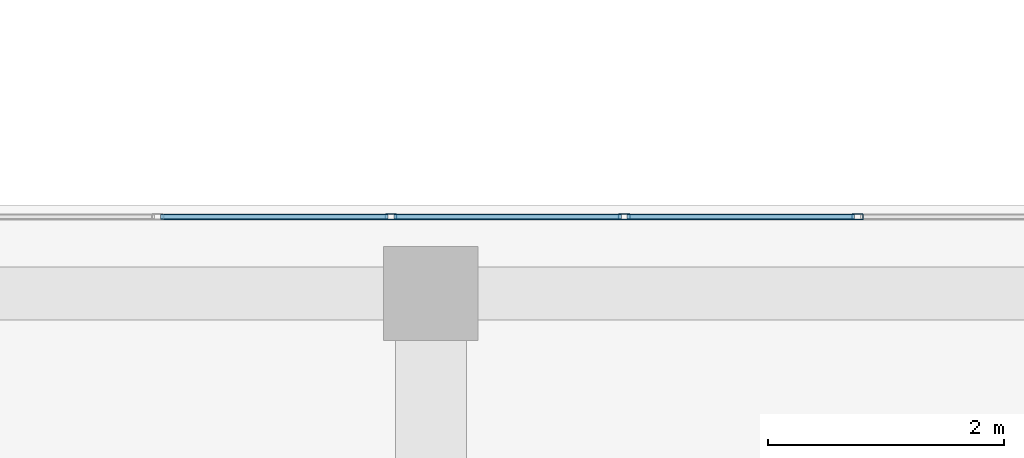
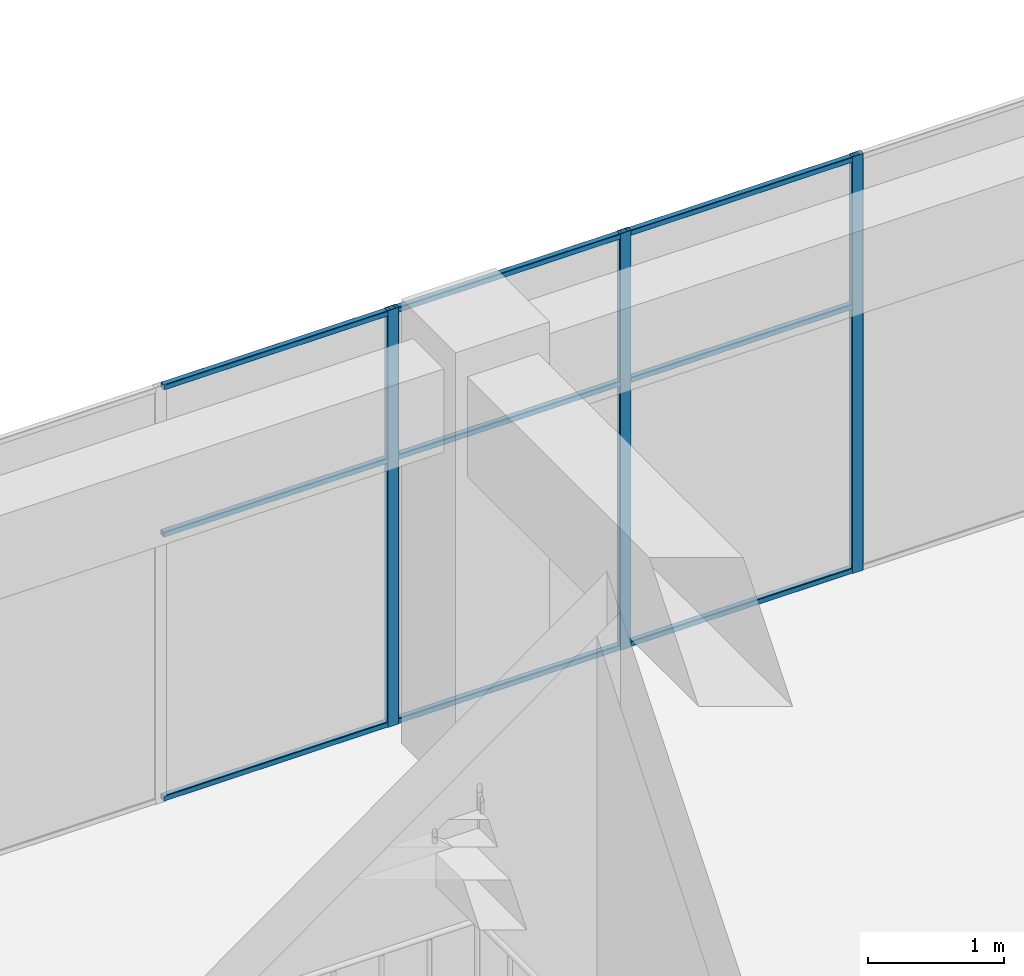
# One storey, part 37 of 65: 12 members, 1 element without a shape of its own.
"""IFC4 building model written with IfcOpenShell, lengths in metres."""

from ifc_helpers import new_model, si_unit, direction, frame, origin, origin_2d, place, context, subcontext, project, spatial, hollow_rectangle, extrude, material, layer, layer_set, material_profile, profile_set, type_object, element, aggregate, save


model = new_model("IFC4")

# Units and contexts
model_context = context("Model", 3, precision=1e-05, world=origin(), true_north=direction((0.0, 1.0)))
body_context = subcontext(model_context, "Body", "Model", "MODEL_VIEW")
ifc_project = project(units=[si_unit("LENGTHUNIT", "METRE"), si_unit("AREAUNIT", "SQUARE_METRE"), si_unit("VOLUMEUNIT", "CUBIC_METRE"), si_unit("PLANEANGLEUNIT", "RADIAN"), si_unit("MASSUNIT", "GRAM", prefix="KILO")], contexts=[model_context])

# Site, building, storey
site_placement = place(None, origin())
site = spatial("IfcSite", under=ifc_project, at=site_placement, CompositionType="ELEMENT")
building_placement = place(site_placement, origin())
building = spatial("IfcBuilding", under=site, at=building_placement, Name="Tuart Plaza Theatre", CompositionType="ELEMENT")
storey_placement = place(building_placement, frame((0.0, 0.0, 9.5)))
storey = spatial("IfcBuildingStorey", under=building, at=storey_placement, Name="L02", CompositionType="ELEMENT", Elevation=9.5)

# Curtain wall, members
ifc_material_1 = material(Name="Aluminium and glass", Category="aluminium")
ifc_layer = layer(ifc_material_1, 0.10009765625)
ifc_layer_set = layer_set([ifc_layer], Name="CURTAIN WALL 2000 module")
curtain_wall_type = type_object("IfcCurtainWallType", Name="CURTAIN WALL 2000 module", PredefinedType="NOTDEFINED", material=ifc_layer_set)
curtain_wall_placement = place(storey_placement, origin())
curtain_wall = element("IfcCurtainWall", 1, at=curtain_wall_placement, inside=storey, type_object=curtain_wall_type, Name="CW70", PredefinedType="NOTDEFINED")
ifc_material_2 = material(Name="Aluminium 6063-T5", Category="aluminium")
ifc_material_profile_1 = material_profile(ifc_material_2, hollow_rectangle(XDim=0.050048828125, YDim=0.10009765625, WallThickness=0.00390625, InnerFilletRadius=0.00390625, OuterFilletRadius=0.008056640625, at=origin_2d()), Name="RHS 100x50x4")
ifc_profile_set_1 = profile_set([ifc_material_profile_1], Name="Aluminium 6063-T5")
member_type_1 = type_object("IfcMemberType", Name="MULLION RHS 100x50x4", PredefinedType="MULLION", material=ifc_profile_set_1)
member_1_placement = place(storey_placement, frame((144.61669921875, 92.64990234375, 0.0), z_axis=(0.0, 0.0, 1.0), x_axis=(0.0, -1.0, 0.0)))
member_1 = element("IfcMember", 2, at=member_1_placement, type_object=member_type_1, Name="CW70 mullion 4", PredefinedType="MULLION", context=body_context, shape_type="SweptSolid", body=[
    extrude(hollow_rectangle(XDim=0.050048828125, YDim=0.10009765625, WallThickness=0.00390625, InnerFilletRadius=0.00390625, OuterFilletRadius=0.008056640625, at=origin_2d()), origin(), (0.0, 0.0, 1.0), 3.75),
])
member_2_placement = place(storey_placement, frame((142.638916015625, 92.64990234375, 0.0), z_axis=(0.0, 0.0, 1.0), x_axis=(0.0, -1.0, 0.0)))
member_2 = element("IfcMember", 3, at=member_2_placement, type_object=member_type_1, Name="CW70 mullion 5", PredefinedType="MULLION", context=body_context, shape_type="SweptSolid", body=[
    extrude(hollow_rectangle(XDim=0.050048828125, YDim=0.10009765625, WallThickness=0.00390625, InnerFilletRadius=0.00390625, OuterFilletRadius=0.008056640625, at=origin_2d()), origin(), (0.0, 0.0, 1.0), 3.75),
])
member_3_placement = place(storey_placement, frame((140.6611328125, 92.64990234375, 0.0), z_axis=(0.0, 0.0, 1.0), x_axis=(0.0, -1.0, 0.0)))
member_3 = element("IfcMember", 4, at=member_3_placement, type_object=member_type_1, Name="CW70 mullion 6", PredefinedType="MULLION", context=body_context, shape_type="SweptSolid", body=[
    extrude(hollow_rectangle(XDim=0.050048828125, YDim=0.10009765625, WallThickness=0.00390625, InnerFilletRadius=0.00390625, OuterFilletRadius=0.008056640625, at=origin_2d()), origin(), (0.0, 0.0, 1.0), 3.75),
])
ifc_material_3 = material(Name="Aluminium 6063-T5", Category="aluminium")
ifc_material_profile_2 = material_profile(ifc_material_3, hollow_rectangle(XDim=0.050048828125, YDim=0.050048828125, WallThickness=0.00390625, InnerFilletRadius=0.00390625, OuterFilletRadius=0.008056640625, at=origin_2d()), Name="RHS 50x50x4")
ifc_profile_set_2 = profile_set([ifc_material_profile_2], Name="Aluminium 6063-T5")
member_type_2 = type_object("IfcMemberType", Name="TRANSOM RHS 50x50x4", PredefinedType="USERDEFINED", material=ifc_profile_set_2)
member_4_placement = place(storey_placement, frame((144.591552734375, 92.64990234375, 0.02490234375), z_axis=(-1.0, 0.0, 0.0), x_axis=(0.0, -1.0, 0.0)))
member_4 = element("IfcMember", 5, at=member_4_placement, type_object=member_type_2, Name="CW70 transom 4.1", ObjectType="TRANSOM", PredefinedType="USERDEFINED", context=body_context, shape_type="SweptSolid", body=[
    extrude(hollow_rectangle(XDim=0.050048828125, YDim=0.050048828125, WallThickness=0.00390625, InnerFilletRadius=0.00390625, OuterFilletRadius=0.008056640625, at=origin_2d()), origin(), (0.0, 0.0, 1.0), 1.927734375),
])
member_5_placement = place(storey_placement, frame((144.591552734375, 92.64990234375, 2.39990234375), z_axis=(-1.0, 0.0, 0.0), x_axis=(0.0, -1.0, 0.0)))
member_5 = element("IfcMember", 6, at=member_5_placement, type_object=member_type_2, Name="CW70 transom 4.2", ObjectType="TRANSOM", PredefinedType="USERDEFINED", context=body_context, shape_type="SweptSolid", body=[
    extrude(hollow_rectangle(XDim=0.050048828125, YDim=0.050048828125, WallThickness=0.00390625, InnerFilletRadius=0.00390625, OuterFilletRadius=0.008056640625, at=origin_2d()), origin(), (0.0, 0.0, 1.0), 1.927734375),
])
member_6_placement = place(storey_placement, frame((144.591552734375, 92.64990234375, 3.72509765625), z_axis=(-1.0, 0.0, 0.0), x_axis=(0.0, -1.0, 0.0)))
member_6 = element("IfcMember", 7, at=member_6_placement, type_object=member_type_2, Name="CW70 transom 4.3", ObjectType="TRANSOM", PredefinedType="USERDEFINED", context=body_context, shape_type="SweptSolid", body=[
    extrude(hollow_rectangle(XDim=0.050048828125, YDim=0.050048828125, WallThickness=0.00390625, InnerFilletRadius=0.00390625, OuterFilletRadius=0.008056640625, at=origin_2d()), origin(), (0.0, 0.0, 1.0), 1.927734375),
])
member_7_placement = place(storey_placement, frame((142.61376953125, 92.64990234375, 0.02490234375), z_axis=(-1.0, 0.0, 0.0), x_axis=(0.0, -1.0, 0.0)))
member_7 = element("IfcMember", 8, at=member_7_placement, type_object=member_type_2, Name="CW70 transom 5.1", ObjectType="TRANSOM", PredefinedType="USERDEFINED", context=body_context, shape_type="SweptSolid", body=[
    extrude(hollow_rectangle(XDim=0.050048828125, YDim=0.050048828125, WallThickness=0.00390625, InnerFilletRadius=0.00390625, OuterFilletRadius=0.008056640625, at=origin_2d()), origin(), (0.0, 0.0, 1.0), 1.927734375),
])
member_8_placement = place(storey_placement, frame((142.61376953125, 92.64990234375, 2.39990234375), z_axis=(-1.0, 0.0, 0.0), x_axis=(0.0, -1.0, 0.0)))
member_8 = element("IfcMember", 9, at=member_8_placement, type_object=member_type_2, Name="CW70 transom 5.2", ObjectType="TRANSOM", PredefinedType="USERDEFINED", context=body_context, shape_type="SweptSolid", body=[
    extrude(hollow_rectangle(XDim=0.050048828125, YDim=0.050048828125, WallThickness=0.00390625, InnerFilletRadius=0.00390625, OuterFilletRadius=0.008056640625, at=origin_2d()), origin(), (0.0, 0.0, 1.0), 1.927734375),
])
member_9_placement = place(storey_placement, frame((142.61376953125, 92.64990234375, 3.72509765625), z_axis=(-1.0, 0.0, 0.0), x_axis=(0.0, -1.0, 0.0)))
member_9 = element("IfcMember", 10, at=member_9_placement, type_object=member_type_2, Name="CW70 transom 5.3", ObjectType="TRANSOM", PredefinedType="USERDEFINED", context=body_context, shape_type="SweptSolid", body=[
    extrude(hollow_rectangle(XDim=0.050048828125, YDim=0.050048828125, WallThickness=0.00390625, InnerFilletRadius=0.00390625, OuterFilletRadius=0.008056640625, at=origin_2d()), origin(), (0.0, 0.0, 1.0), 1.927734375),
])
member_10_placement = place(storey_placement, frame((140.63623046875, 92.64990234375, 0.02490234375), z_axis=(-1.0, 0.0, 0.0), x_axis=(0.0, -1.0, 0.0)))
member_10 = element("IfcMember", 11, at=member_10_placement, type_object=member_type_2, Name="CW70 transom 6.1", ObjectType="TRANSOM", PredefinedType="USERDEFINED", context=body_context, shape_type="SweptSolid", body=[
    extrude(hollow_rectangle(XDim=0.050048828125, YDim=0.050048828125, WallThickness=0.00390625, InnerFilletRadius=0.00390625, OuterFilletRadius=0.008056640625, at=origin_2d()), origin(), (0.0, 0.0, 1.0), 1.927978515625),
])
member_11_placement = place(storey_placement, frame((140.63623046875, 92.64990234375, 2.39990234375), z_axis=(-1.0, 0.0, 0.0), x_axis=(0.0, -1.0, 0.0)))
member_11 = element("IfcMember", 12, at=member_11_placement, type_object=member_type_2, Name="CW70 transom 6.2", ObjectType="TRANSOM", PredefinedType="USERDEFINED", context=body_context, shape_type="SweptSolid", body=[
    extrude(hollow_rectangle(XDim=0.050048828125, YDim=0.050048828125, WallThickness=0.00390625, InnerFilletRadius=0.00390625, OuterFilletRadius=0.008056640625, at=origin_2d()), origin(), (0.0, 0.0, 1.0), 1.927978515625),
])
member_12_placement = place(storey_placement, frame((140.63623046875, 92.64990234375, 3.72509765625), z_axis=(-1.0, 0.0, 0.0), x_axis=(0.0, -1.0, 0.0)))
member_12 = element("IfcMember", 13, at=member_12_placement, type_object=member_type_2, Name="CW70 transom 6.3", ObjectType="TRANSOM", PredefinedType="USERDEFINED", context=body_context, shape_type="SweptSolid", body=[
    extrude(hollow_rectangle(XDim=0.050048828125, YDim=0.050048828125, WallThickness=0.00390625, InnerFilletRadius=0.00390625, OuterFilletRadius=0.008056640625, at=origin_2d()), origin(), (0.0, 0.0, 1.0), 1.927978515625),
])
aggregate(curtain_wall, [member_1, member_2, member_3, member_4, member_5, member_6, member_7, member_8, member_9, member_10, member_11, member_12])

save(model, "model.ifc")
